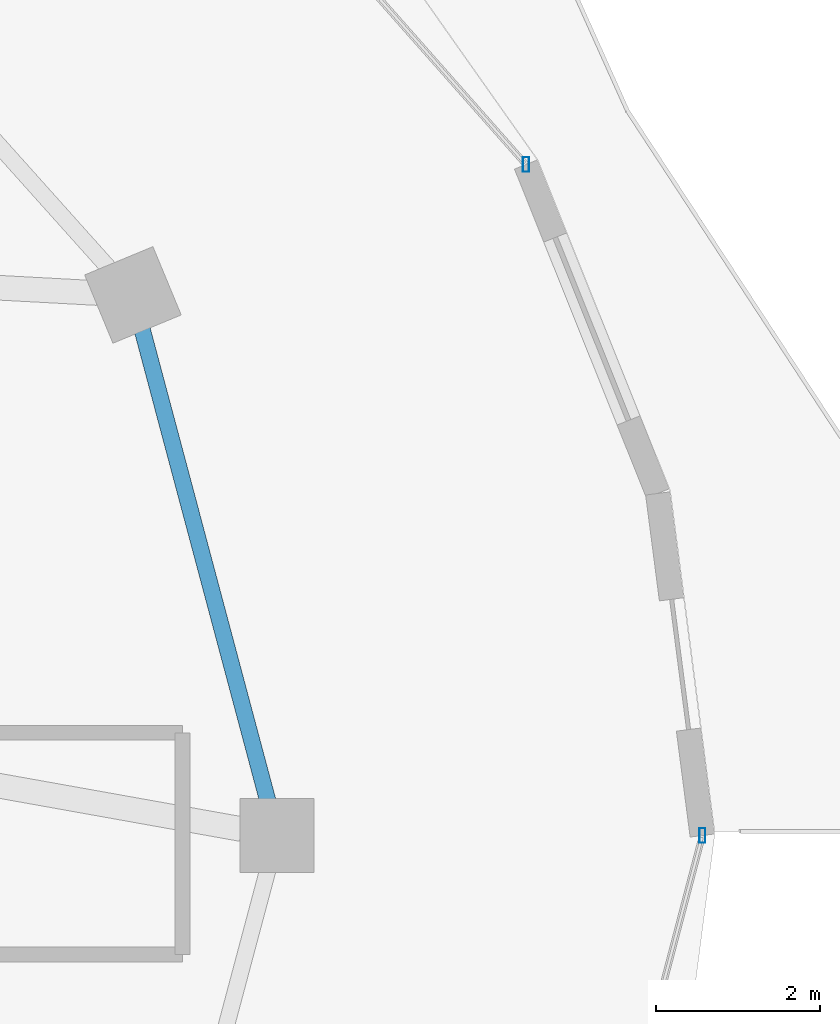
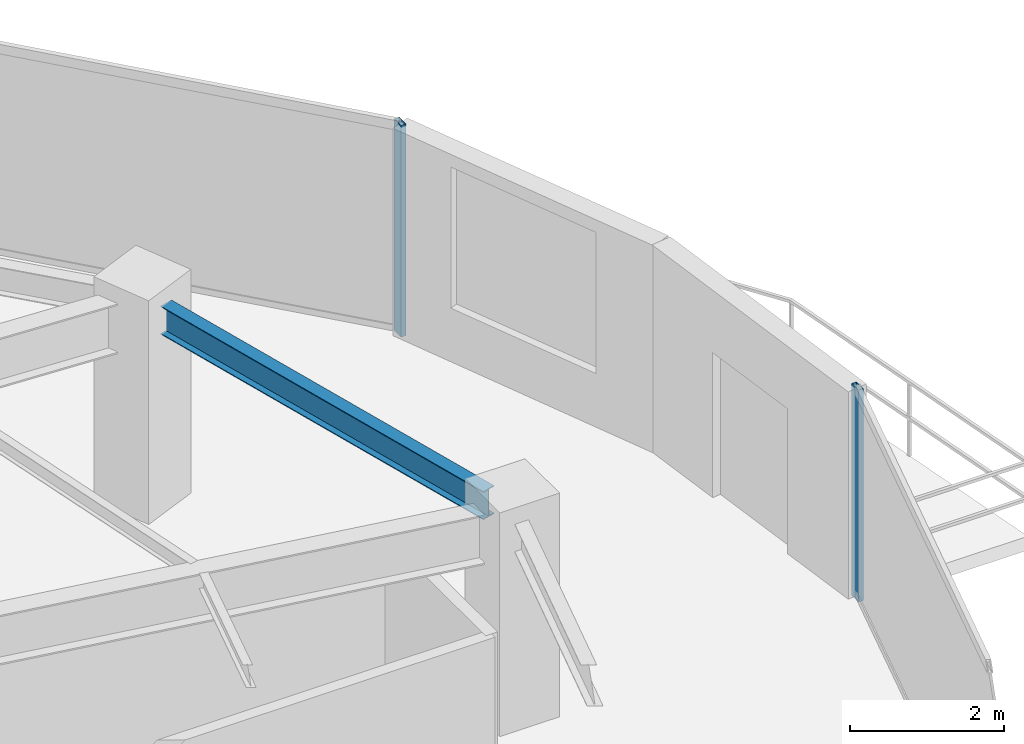
# One storey, part 15 of 33: 2 members, 1 beam, 2 elements without a shape of their own.
"""IFC4 building model written with IfcOpenShell, lengths in metres."""

from ifc_helpers import new_model, si_unit, direction, frame, origin, origin_2d, place, context, subcontext, project, spatial, hollow_rectangle, i_section, extrude, material, material_profile, profile_set, type_object, element, aggregate, save


model = new_model("IFC4")

# Units and contexts
model_context = context("Model", 3, precision=1e-05, world=origin(), true_north=direction((0.0, 1.0)))
body_context = subcontext(model_context, "Body", "Model", "MODEL_VIEW")
ifc_project = project(units=[si_unit("LENGTHUNIT", "METRE"), si_unit("AREAUNIT", "SQUARE_METRE"), si_unit("VOLUMEUNIT", "CUBIC_METRE"), si_unit("PLANEANGLEUNIT", "RADIAN"), si_unit("MASSUNIT", "GRAM", prefix="KILO")], contexts=[model_context])

# Site, building, storey
site_placement = place(None, origin())
site = spatial("IfcSite", under=ifc_project, at=site_placement, CompositionType="ELEMENT")
building_placement = place(site_placement, origin())
building = spatial("IfcBuilding", under=site, at=building_placement, Name="Vorneva Point Tower", CompositionType="ELEMENT")
storey_placement = place(building_placement, frame((0.0, 0.0, 203.64990234375)))
storey = spatial("IfcBuildingStorey", under=building, at=storey_placement, Name="L55", CompositionType="ELEMENT", Elevation=203.64990234375)

# Beam
ifc_material_1 = material(Name="Steel S355", Category="steel")
ifc_material_profile_1 = material_profile(ifc_material_1, i_section(OverallWidth=0.198974609375, OverallDepth=0.446044921875, WebThickness=0.008056640625, FlangeThickness=0.011962890625, at=origin_2d()), Name="45B1")
ifc_profile_set_1 = profile_set([ifc_material_profile_1], Name="Steel S355")
beam_type = type_object("IfcBeamType", Name="BM-SPN-45B1", PredefinedType="SPANDREL", material=ifc_profile_set_1)
beam_placement = place(storey_placement, frame((60.93798828125, 26.42041015625, 3.067138671875), z_axis=(-0.257578258003, 0.966257440336, 0.0), x_axis=(-0.966257440336, -0.257578258003, 0.0)))
element("IfcBeam", 1, at=beam_placement, inside=storey, type_object=beam_type, Name="L55 Perimeter Spandrel Ring Beam 01", PredefinedType="SPANDREL", context=body_context, shape_type="SweptSolid", body=[
    extrude(i_section(OverallWidth=0.198974609375, OverallDepth=0.446044921875, WebThickness=0.008056640625, FlangeThickness=0.011962890625, at=origin_2d()), origin(), (0.0, 0.0, 1.0), 5.94189453125),
])

# Curtain wall, member
ifc_material_2 = material(Name="Pale anodised aluminium", Category="aluminium")
curtain_wall_type = type_object("IfcCurtainWallType", Name="CW-RES-SYS", PredefinedType="NOTDEFINED", material=ifc_material_2)
curtain_wall_1_placement = place(storey_placement, origin())
curtain_wall_1 = element("IfcCurtainWall", 2, at=curtain_wall_1_placement, inside=storey, type_object=curtain_wall_type, Name="L55 Unitised Curtain Wall CW-L55-R01", PredefinedType="NOTDEFINED")
ifc_material_profile_2 = material_profile(ifc_material_2, hollow_rectangle(XDim=0.074951171875, YDim=0.179931640625, WallThickness=0.00390625, at=origin_2d()), Name="AL-MUL 180x75x4")
ifc_profile_set_2 = profile_set([ifc_material_profile_2], Name="Pale anodised aluminium")
member_type = type_object("IfcMemberType", Name="CW-MUL-180", PredefinedType="MULLION", material=ifc_profile_set_2)
member_1_placement = place(storey_placement, frame((64.0810546875, 34.17041015625, -0.039794921875), z_axis=(0.0, 0.0, 1.0), x_axis=(1.0, 0.0, 0.0)))
member_1 = element("IfcMember", 3, at=member_1_placement, type_object=member_type, Name="CW-L55-R01 Mullion 01", PredefinedType="MULLION", context=body_context, shape_type="SweptSolid", body=[
    extrude(hollow_rectangle(XDim=0.074951171875, YDim=0.179931640625, WallThickness=0.00390625, at=origin_2d()), origin(), (0.0, 0.0, 1.0), 3.35986328125),
])
aggregate(curtain_wall_1, [member_1])

curtain_wall_2_placement = place(storey_placement, origin())
curtain_wall_2 = element("IfcCurtainWall", 4, at=curtain_wall_2_placement, inside=storey, type_object=curtain_wall_type, Name="L55 Unitised Curtain Wall CW-L55-R04", PredefinedType="NOTDEFINED")
member_2_placement = place(storey_placement, frame((66.22998046875, 26.0, -0.039794921875), z_axis=(0.0, 0.0, 1.0), x_axis=(1.0, 0.0, 0.0)))
member_2 = element("IfcMember", 5, at=member_2_placement, type_object=member_type, Name="CW-L55-R04 Mullion 03", PredefinedType="MULLION", context=body_context, shape_type="SweptSolid", body=[
    extrude(hollow_rectangle(XDim=0.074951171875, YDim=0.179931640625, WallThickness=0.00390625, at=origin_2d()), origin(), (0.0, 0.0, 1.0), 3.35986328125),
])
aggregate(curtain_wall_2, [member_2])

save(model, "model.ifc")
